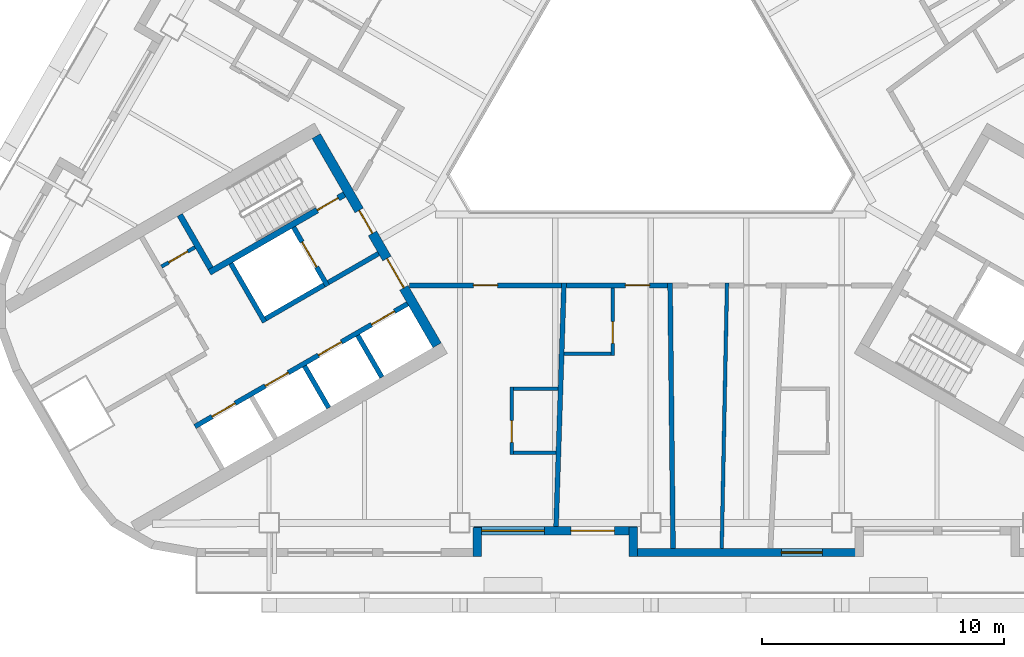
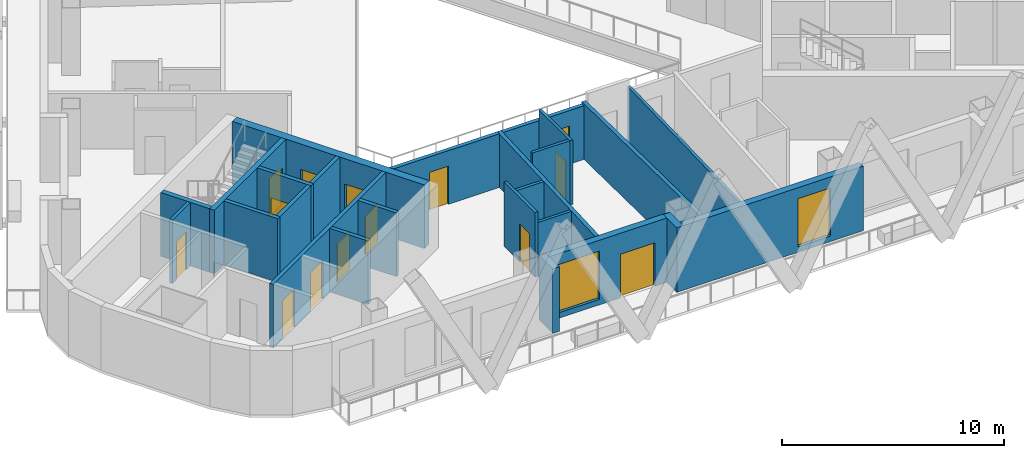
# One storey, part 3 of 14: 25 walls, 14 doors, 2 windows, 16 openings.
"""IFC4 building model written with IfcOpenShell, lengths in metres."""

import ifcopenshell
import ifcopenshell.guid

model = None  # the IFC model being written
_history = None  # IfcOwnerHistory: only IFC2X3 demands one
_inside = {}  # id of a spatial element -> (the spatial element, [elements in it])
_under = {}  # id of a project, library or spatial element -> (it, [spatial elements below it])
_declared = {}  # id of a project -> (the project, [libraries it declares])
_typed = {}  # id of a type object -> (the type object, [elements of that type])
_made_of = {}  # id of a material, layer set ... -> (it, [elements and type objects made of it])


def new_model(schema):
    """Start an empty IFC model of exactly this schema.

    Asked for "IFC4X3", IfcOpenShell would pick the latest addendum, in which some entities
    have other attributes; the version numbers below select the first issue.
    IFC2X3 requires an IfcOwnerHistory on every rooted entity: one is made here for all.
    """
    global model, _history
    if schema == "IFC4X3":
        model = ifcopenshell.file(schema_version=(4, 3, 0, 0))
    else:
        model = ifcopenshell.file(schema=schema)
    _inside.clear()
    _under.clear()
    _declared.clear()
    _typed.clear()
    _made_of.clear()
    _history = None
    if model.schema == "IFC2X3":
        org = make("IfcOrganization", Name="unknown")
        user = make(
            "IfcPersonAndOrganization",
            ThePerson=make("IfcPerson", FamilyName="unknown"),
            TheOrganization=org,
        )
        app = make(
            "IfcApplication",
            ApplicationDeveloper=org,
            Version="unknown",
            ApplicationFullName="unknown",
            ApplicationIdentifier="unknown",
        )
        _history = make(
            "IfcOwnerHistory",
            OwningUser=user,
            OwningApplication=app,
            ChangeAction="ADDED",
            CreationDate=0,
        )
    return model


def make(cls, **values):
    """One entity of the class cls with the attributes given. An attribute that is None is left unset."""
    return model.create_entity(
        cls, **{name: value for name, value in values.items() if value is not None}
    )


def rooted(cls, **values):
    """An entity with a GlobalId (a new one), such as an element, a storey or a relation."""
    return make(cls, GlobalId=ifcopenshell.guid.new(), OwnerHistory=_history, **values)


def si_unit(unit_type, name, prefix=None):
    """IfcSIUnit, for example si_unit("LENGTHUNIT", "METRE", prefix="MILLI")."""
    return make("IfcSIUnit", UnitType=unit_type, Prefix=prefix, Name=name)


def assignment(units):
    """IfcUnitAssignment: the units of a project."""
    return None if units is None else make("IfcUnitAssignment", Units=units)


def point(xyz):
    """IfcCartesianPoint."""
    return None if xyz is None else make("IfcCartesianPoint", Coordinates=xyz)


def direction(xyz):
    """IfcDirection."""
    return None if xyz is None else make("IfcDirection", DirectionRatios=xyz)


def frame(location, z_axis=None, x_axis=None):
    """IfcAxis2Placement3D, a coordinate frame: its origin and axes. An axis left out is left unset."""
    return make(
        "IfcAxis2Placement3D",
        Location=point(location),
        Axis=direction(z_axis),
        RefDirection=direction(x_axis),
    )


def frame_2d(location, x_axis=None):
    """IfcAxis2Placement2D, a coordinate frame in the plane: its origin and x axis."""
    return make(
        "IfcAxis2Placement2D", Location=point(location), RefDirection=direction(x_axis)
    )


def origin():
    """The frame at (0, 0, 0) with its axes left unset."""
    return frame((0.0, 0.0, 0.0))


def place(relative_to, where):
    """IfcLocalPlacement: puts the frame where relative to a parent placement (None: the world)."""
    return make(
        "IfcLocalPlacement", PlacementRelTo=relative_to, RelativePlacement=where
    )


def context(
    kind, dimensions, precision=None, world=None, true_north=None, identifier=None
):
    """IfcGeometricRepresentationContext, for example the 3D "Model" context."""
    return make(
        "IfcGeometricRepresentationContext",
        ContextIdentifier=identifier,
        ContextType=kind,
        CoordinateSpaceDimension=dimensions,
        Precision=precision,
        WorldCoordinateSystem=world,
        TrueNorth=true_north,
    )


def subcontext(parent, identifier, kind, view, scale=None):
    """IfcGeometricRepresentationSubContext, for example "Body" below "Model"."""
    return make(
        "IfcGeometricRepresentationSubContext",
        ContextIdentifier=identifier,
        ContextType=kind,
        ParentContext=parent,
        TargetScale=scale,
        TargetView=view,
    )


def project(units=None, contexts=None):
    """IfcProject with its units and contexts."""
    return rooted(
        "IfcProject",
        Name="project",
        RepresentationContexts=contexts,
        UnitsInContext=assignment(units),
    )


def spatial(cls, under=None, at=None, **own):
    """A site, building, storey or space (cls), placed at a placement, below another one or the project."""
    s = rooted(cls, ObjectPlacement=at, **own)
    if under is not None:
        _under.setdefault(under.id(), (under, []))[1].append(s)
    return s


def profile(cls, at=None, kind="AREA", **sizes):
    """A parametric profile (cls). Its sizes go by their IFC names, for example OverallWidth=200.0."""
    return make(cls, ProfileType=kind, Position=at, **sizes)


def rectangle(**sizes):
    """IfcRectangleProfileDef."""
    return profile("IfcRectangleProfileDef", **sizes)


def extrude(swept, where, along, depth):
    """IfcExtrudedAreaSolid: the profile swept, set in the frame where, extruded along a direction by depth."""
    return make(
        "IfcExtrudedAreaSolid",
        SweptArea=swept,
        Position=where,
        ExtrudedDirection=direction(along),
        Depth=depth,
    )


def shape(context_of_items, identifier, shape_type, items):
    """IfcShapeRepresentation: the items that make up one representation, for example the "Body"."""
    return make(
        "IfcShapeRepresentation",
        ContextOfItems=context_of_items,
        RepresentationIdentifier=identifier,
        RepresentationType=shape_type,
        Items=items,
    )


def material(Name=None, Category=None):
    """IfcMaterial."""
    return make("IfcMaterial", Name=Name, Category=Category)


def layer(
    of_material, thickness, ventilated=None, Name=None, Category=None, Priority=None
):
    """IfcMaterialLayer: one layer of a wall or slab, of a material (None: an air gap)."""
    return make(
        "IfcMaterialLayer",
        Material=of_material,
        LayerThickness=thickness,
        IsVentilated=ventilated,
        Name=Name,
        Category=Category,
        Priority=Priority,
    )


def layer_set(layers, Name=None):
    """IfcMaterialLayerSet."""
    return make("IfcMaterialLayerSet", MaterialLayers=layers, LayerSetName=Name)


def made_of(thing, what):
    """Note that an element or type object is made of a material, layer set ...; save() writes the relation."""
    if what is not None:
        _made_of.setdefault(what.id(), (what, []))[1].append(thing)
    return thing


def type_object(cls, material=None, **own):
    """A type object (cls), such as IfcWallType, which elements share."""
    return made_of(rooted(cls, **own), material)


def element(
    cls,
    number,
    at=None,
    inside=None,
    cuts=None,
    type_object=None,
    material=None,
    context=None,
    identifier="Body",
    shape_type=None,
    held_by="IfcProductDefinitionShape",
    body=None,
    shapes=None,
    **own,
):
    """One element of the class cls, such as IfcWall. Its Tag is "e" and its number.

    at: its placement. inside: the storey or other place that contains it. cuts: it is an
    opening in that element (IfcRelVoidsElement). A single representation is given by context,
    identifier, shape_type and body (its items); several are given by shapes. held_by: the class
    of the entity that holds the representations. save() writes the other relations.
    """
    e = rooted(cls, Tag="e%d" % number, ObjectPlacement=at, **own)
    if body is not None:
        shapes = [shape(context, identifier, shape_type, body)]
    if shapes is not None:
        e.Representation = make(held_by, Representations=shapes)
    if inside is not None:
        _inside.setdefault(inside.id(), (inside, []))[1].append(e)
    if cuts is not None:
        rooted(
            "IfcRelVoidsElement", RelatingBuildingElement=cuts, RelatedOpeningElement=e
        )
    if type_object is not None:
        _typed.setdefault(type_object.id(), (type_object, []))[1].append(e)
    return made_of(e, material)


def fill(opening, filler):
    """IfcRelFillsElement: the door or window that sits in an opening."""
    return rooted(
        "IfcRelFillsElement",
        RelatingOpeningElement=opening,
        RelatedBuildingElement=filler,
    )


def aggregate(whole, parts):
    """IfcRelAggregates: a whole, such as a stair, and the parts it consists of."""
    return rooted("IfcRelAggregates", RelatingObject=whole, RelatedObjects=parts)


def save(model, path):
    """Write the relations noted so far, then the file.

    IfcRelAggregates (storeys below a building ...), IfcRelContainedInSpatialStructure (elements
    in a storey), IfcRelDefinesByType, IfcRelAssociatesMaterial and IfcRelDeclares: one each for
    every whole, place, type object, material and project.
    """
    for whole, parts in _under.values():
        aggregate(whole, parts)
    for where, things in _inside.values():
        rooted(
            "IfcRelContainedInSpatialStructure",
            RelatedElements=things,
            RelatingStructure=where,
        )
    for kind, things in _typed.values():
        rooted("IfcRelDefinesByType", RelatedObjects=things, RelatingType=kind)
    for what, things in _made_of.values():
        rooted("IfcRelAssociatesMaterial", RelatedObjects=things, RelatingMaterial=what)
    for by, libraries in _declared.values():
        rooted("IfcRelDeclares", RelatingContext=by, RelatedDefinitions=libraries)
    model.write(path)


model = new_model("IFC4")

# Units and contexts
model_context = context("Model", 3, precision=1e-05, world=origin(), true_north=direction((0.0, 1.0)))
body_context = subcontext(model_context, "Body", "Model", "MODEL_VIEW")
ifc_project = project(units=[si_unit("LENGTHUNIT", "METRE"), si_unit("AREAUNIT", "SQUARE_METRE"), si_unit("VOLUMEUNIT", "CUBIC_METRE"), si_unit("PLANEANGLEUNIT", "RADIAN"), si_unit("MASSUNIT", "GRAM", prefix="KILO")], contexts=[model_context])

# Site, building, storey
site_placement = place(None, origin())
site = spatial("IfcSite", under=ifc_project, at=site_placement, CompositionType="ELEMENT")
building_placement = place(site_placement, origin())
building = spatial("IfcBuilding", under=site, at=building_placement, Name="Apuvela Tower Hotel", CompositionType="ELEMENT")
storey_placement = place(building_placement, frame((0.0, 0.0, 168.800048828125)))
storey = spatial("IfcBuildingStorey", under=building, at=storey_placement, Name="L40", CompositionType="ELEMENT", Elevation=168.800048828125)

# Wall, openings, doors
ifc_material_1 = material(Name="Concrete C50/60", Category="concrete")
ifc_layer_1 = layer(ifc_material_1, 0.39990234375)
ifc_layer_set_1 = layer_set([ifc_layer_1], Name="COR-WALL-CORE-400")
wall_type_1 = type_object("IfcWallType", Name="COR-WALL-CORE-400", PredefinedType="SHEAR", material=ifc_layer_set_1)
wall_1_placement = place(storey_placement, frame((-13.844970703125, -2.219970703125, 0.0), z_axis=(0.0, 0.0, 1.0), x_axis=(0.500004234368, -0.866022959057, 0.0)))
wall_1 = element("IfcWall", 1, at=wall_1_placement, inside=storey, type_object=wall_type_1, Name="Core wall SW", PredefinedType="SHEAR", context=body_context, shape_type="SweptSolid", body=[
    extrude(rectangle(XDim=10.0, YDim=0.39990234375, at=frame_2d((5.0, 0.0))), origin(), (0.0, 0.0, 1.0), 3.5),
])
opening_1_placement = place(wall_1_placement, frame((3.550048828125, 0.0, 0.0)))
opening_1 = element("IfcOpeningElement", 2, at=opening_1_placement, cuts=wall_1, Name="Opening W-FD", PredefinedType="OPENING", context=body_context, shape_type="SweptSolid", body=[
    extrude(rectangle(XDim=1.10009765625, YDim=2.10009765625, at=frame_2d((0.550048828125, 1.050048828125))), frame((0.0, 0.2099609375, 0.0), z_axis=(0.0, -1.0, 0.0), x_axis=(1.0, 0.0, 0.0)), (0.0, 0.0, 1.0), 0.419921875),
])
opening_2_placement = place(wall_1_placement, frame((5.85009765625, 0.0, 0.0)))
opening_2 = element("IfcOpeningElement", 3, at=opening_2_placement, cuts=wall_1, Name="Opening W-GD", PredefinedType="OPENING", context=body_context, shape_type="SweptSolid", body=[
    extrude(rectangle(XDim=1.39990234375, YDim=2.10009765625, at=frame_2d((0.699951171875, 1.050048828125))), frame((0.0, 0.2099609375, 0.0), z_axis=(0.0, -1.0, 0.0), x_axis=(1.0, 0.0, 0.0)), (0.0, 0.0, 1.0), 0.419921875),
])
ifc_material_2 = material(Name="Steel fire door, powder coated", Category="steel")
door_type_1 = type_object("IfcDoorType", Name="COR-FD-1100", OperationType="NOTDEFINED", PredefinedType="DOOR", material=ifc_material_2)
door_1_placement = place(opening_1_placement, frame((1.10009765625, 0.0, 0.0), z_axis=(0.0, 0.0, 1.0), x_axis=(-1.0, 0.0, 0.0)))
door_1 = element("IfcDoor", 4, at=door_1_placement, inside=storey, type_object=door_type_1, Name="Firefighting lobby door W-FD", OperationType="SINGLE_SWING_LEFT", OverallHeight=2.10009765625, OverallWidth=1.10009765625, PredefinedType="DOOR", context=body_context, shape_type="SweptSolid", body=[
    extrude(rectangle(XDim=1.10009765625, YDim=2.10009765625, at=frame_2d((0.550048828125, 1.050048828125))), frame((0.0, 0.02490234375, 0.0), z_axis=(0.0, -1.0, 0.0), x_axis=(1.0, 0.0, 0.0)), (0.0, 0.0, 1.0), 0.050048828125),
])
fill(opening_1, door_1)
ifc_material_3 = material(Name="Glazed steel fire door", Category="steel")
door_type_2 = type_object("IfcDoorType", Name="COR-GD-1400", OperationType="DOUBLE_DOOR_SINGLE_SWING", PredefinedType="DOOR", material=ifc_material_3)
door_2_placement = place(opening_2_placement, frame((1.39990234375, 0.0, 0.0), z_axis=(0.0, 0.0, 1.0), x_axis=(-1.0, 0.0, 0.0)))
door_2 = element("IfcDoor", 5, at=door_2_placement, inside=storey, type_object=door_type_2, Name="Lift lobby door W-GD", OperationType="DOUBLE_DOOR_SINGLE_SWING", OverallHeight=2.10009765625, OverallWidth=1.39990234375, PredefinedType="DOOR", context=body_context, shape_type="SweptSolid", body=[
    extrude(rectangle(XDim=1.39990234375, YDim=2.10009765625, at=frame_2d((0.699951171875, 1.050048828125))), frame((0.0, 0.02490234375, 0.0), z_axis=(0.0, -1.0, 0.0), x_axis=(1.0, 0.0, 0.0)), (0.0, 0.0, 1.0), 0.050048828125),
])
fill(opening_2, door_2)

# Wall, opening, door
ifc_material_4 = material(Name="Blockwork 150 mm plastered", Category="masonry")
ifc_layer_2 = layer(ifc_material_4, 0.14990234375)
ifc_layer_set_2 = layer_set([ifc_layer_2], Name="COR-WALL-PART-150")
wall_type_2 = type_object("IfcWallType", Name="COR-WALL-PART-150", PredefinedType="PARTITIONING", material=ifc_layer_set_2)
wall_2_placement = place(storey_placement, frame((-18.866455078125, -6.822265625, 0.0), z_axis=(0.0, 0.0, 1.0), x_axis=(-0.866028054938, -0.499995408039, 0.0)))
wall_2 = element("IfcWall", 6, at=wall_2_placement, inside=storey, type_object=wall_type_2, Name="Partition SW", PredefinedType="PARTITIONING", context=body_context, shape_type="SweptSolid", body=[
    extrude(rectangle(XDim=1.60009765625, YDim=0.14990234375, at=frame_2d((0.800048828125, 0.0))), origin(), (0.0, 0.0, 1.0), 3.5),
])
opening_3_placement = place(wall_2_placement, frame((0.35009765625, 0.0, 0.0)))
opening_3 = element("IfcOpeningElement", 7, at=opening_3_placement, cuts=wall_2, Name="Opening W-RD", PredefinedType="OPENING", context=body_context, shape_type="SweptSolid", body=[
    extrude(rectangle(XDim=0.89990234375, YDim=2.10009765625, at=frame_2d((0.449951171875, 1.050048828125))), frame((0.0, 0.0849609375, 0.0), z_axis=(0.0, -1.0, 0.0), x_axis=(1.0, 0.0, 0.0)), (0.0, 0.0, 1.0), 0.169921875),
])
ifc_material_5 = material(Name="Steel access door, powder coated", Category="steel")
door_type_3 = type_object("IfcDoorType", Name="COR-RD-900", OperationType="NOTDEFINED", PredefinedType="DOOR", material=ifc_material_5)
door_3_placement = place(opening_3_placement, frame((0.89990234375, 0.0, 0.0), z_axis=(0.0, 0.0, 1.0), x_axis=(-1.0, 0.0, 0.0)))
door_3 = element("IfcDoor", 8, at=door_3_placement, inside=storey, type_object=door_type_3, Name="Riser door W-RD", OperationType="SINGLE_SWING_RIGHT", OverallHeight=2.10009765625, OverallWidth=0.89990234375, PredefinedType="DOOR", context=body_context, shape_type="SweptSolid", body=[
    extrude(rectangle(XDim=0.89990234375, YDim=2.10009765625, at=frame_2d((0.449951171875, 1.050048828125))), frame((0.0, 0.02490234375, 0.0), z_axis=(0.0, -1.0, 0.0), x_axis=(1.0, 0.0, 0.0)), (0.0, 0.0, 1.0), 0.050048828125),
])
fill(opening_3, door_3)

# Wall
ifc_layer_3 = layer(ifc_material_1, 0.199951171875)
ifc_layer_set_3 = layer_set([ifc_layer_3], Name="COR-WALL-SHAFT-200")
wall_type_3 = type_object("IfcWallType", Name="COR-WALL-SHAFT-200", PredefinedType="SHEAR", material=ifc_layer_set_3)
wall_3_placement = place(storey_placement, frame((-17.38134765625, -7.49462890625, 0.0), z_axis=(0.0, 0.0, 1.0), x_axis=(0.500011755427, -0.866018616679, 0.0)))
element("IfcWall", 9, at=wall_3_placement, inside=storey, type_object=wall_type_3, Name="Shaft wall SW", PredefinedType="SHEAR", context=body_context, shape_type="SweptSolid", body=[
    extrude(rectangle(XDim=2.80029296875, YDim=0.199951171875, at=frame_2d((1.400146484375, 0.0))), origin(), (0.0, 0.0, 1.0), 3.5),
])

# Wall, opening, door
wall_4_placement = place(storey_placement, frame((-14.783203125, -5.99462890625, 0.0), z_axis=(0.0, 0.0, 1.0), x_axis=(0.49994636267, -0.866056369097, 0.0)))
wall_4 = element("IfcWall", 10, at=wall_4_placement, inside=storey, type_object=wall_type_3, Name="Shaft wall SW", PredefinedType="SHEAR", context=body_context, shape_type="SweptSolid", body=[
    extrude(rectangle(XDim=2.800048828125, YDim=0.199951171875, at=frame_2d((1.39990234375, 0.0))), origin(), (0.0, 0.0, 1.0), 3.5),
])
opening_4_placement = place(wall_4_placement, frame((0.699951171875, 0.0, 0.0)))
opening_4 = element("IfcOpeningElement", 11, at=opening_4_placement, cuts=wall_4, Name="Opening W-LD-FS2", PredefinedType="OPENING", context=body_context, shape_type="SweptSolid", body=[
    extrude(rectangle(XDim=1.199951171875, YDim=2.10009765625, at=frame_2d((0.60009765625, 1.050048828125))), frame((0.0, 0.10986328125, 0.0), z_axis=(0.0, -1.0, 0.0), x_axis=(1.0, 0.0, 0.0)), (0.0, 0.0, 1.0), 0.219970703125),
])
ifc_material_6 = material(Name="Stainless steel lift landing door", Category="steel")
door_type_4 = type_object("IfcDoorType", Name="COR-LD-1200", OperationType="DOUBLE_DOOR_SLIDING", PredefinedType="DOOR", material=ifc_material_6)
door_4_placement = place(opening_4_placement, origin())
door_4 = element("IfcDoor", 12, at=door_4_placement, inside=storey, type_object=door_type_4, Name="Lift landing door W-LD-FS2", OperationType="DOUBLE_DOOR_SLIDING", OverallHeight=2.10009765625, OverallWidth=1.199951171875, PredefinedType="DOOR", context=body_context, shape_type="SweptSolid", body=[
    extrude(rectangle(XDim=1.199951171875, YDim=2.10009765625, at=frame_2d((0.60009765625, 1.050048828125))), frame((0.0, 0.02490234375, 0.0), z_axis=(0.0, -1.0, 0.0), x_axis=(1.0, 0.0, 0.0)), (0.0, 0.0, 1.0), 0.050048828125),
])
fill(opening_4, door_4)

# Walls
wall_5_placement = place(storey_placement, frame((-13.519775390625, -8.383056640625, 0.0), z_axis=(0.0, 0.0, 1.0), x_axis=(-0.866034573852, -0.49998411664, 0.0)))
element("IfcWall", 13, at=wall_5_placement, inside=storey, type_object=wall_type_3, Name="Shaft wall SW", PredefinedType="SHEAR", context=body_context, shape_type="SweptSolid", body=[
    extrude(rectangle(XDim=2.7998046875, YDim=0.199951171875, at=frame_2d((1.39990234375, 0.0))), origin(), (0.0, 0.0, 1.0), 3.5),
])
wall_6_placement = place(storey_placement, frame((-11.26806640625, -7.0830078125, 0.0), z_axis=(0.0, 0.0, 1.0), x_axis=(-0.866050077142, -0.499957262057, 0.0)))
element("IfcWall", 14, at=wall_6_placement, inside=storey, type_object=wall_type_3, Name="Shaft wall SW", PredefinedType="SHEAR", context=body_context, shape_type="SweptSolid", body=[
    extrude(rectangle(XDim=2.400146484375, YDim=0.199951171875, at=frame_2d((1.2001953125, 0.0))), origin(), (0.0, 0.0, 1.0), 3.5),
])

# Wall, openings, doors
wall_7_placement = place(storey_placement, frame((-10.068115234375, -9.16162109375, 0.0), z_axis=(0.0, 0.0, 1.0), x_axis=(-0.866032725843, -0.499987317609, 0.0)))
wall_7 = element("IfcWall", 15, at=wall_7_placement, inside=storey, type_object=wall_type_3, Name="Shaft wall SW", PredefinedType="SHEAR", context=body_context, shape_type="SweptSolid", body=[
    extrude(rectangle(XDim=10.159912109375, YDim=0.199951171875, at=frame_2d((5.080078125, 0.0))), origin(), (0.0, 0.0, 1.0), 3.5),
])
opening_5_placement = place(wall_7_placement, frame((0.6201171875, 0.0, 0.0)))
opening_5 = element("IfcOpeningElement", 16, at=opening_5_placement, cuts=wall_7, Name="Opening W-LD-MR1", PredefinedType="OPENING", context=body_context, shape_type="SweptSolid", body=[
    extrude(rectangle(XDim=1.10009765625, YDim=2.10009765625, at=frame_2d((0.550048828125, 1.050048828125))), frame((0.0, 0.10986328125, 0.0), z_axis=(0.0, -1.0, 0.0), x_axis=(1.0, 0.0, 0.0)), (0.0, 0.0, 1.0), 0.219970703125),
])
opening_6_placement = place(wall_7_placement, frame((3.159912109375, 0.0, 0.0)))
opening_6 = element("IfcOpeningElement", 17, at=opening_6_placement, cuts=wall_7, Name="Opening W-LD-MR2", PredefinedType="OPENING", context=body_context, shape_type="SweptSolid", body=[
    extrude(rectangle(XDim=1.10009765625, YDim=2.10009765625, at=frame_2d((0.550048828125, 1.050048828125))), frame((0.0, 0.10986328125, 0.0), z_axis=(0.0, -1.0, 0.0), x_axis=(1.0, 0.0, 0.0)), (0.0, 0.0, 1.0), 0.219970703125),
])
opening_7_placement = place(wall_7_placement, frame((5.699951171875, 0.0, 0.0)))
opening_7 = element("IfcOpeningElement", 18, at=opening_7_placement, cuts=wall_7, Name="Opening W-LD-MR3", PredefinedType="OPENING", context=body_context, shape_type="SweptSolid", body=[
    extrude(rectangle(XDim=1.10009765625, YDim=2.10009765625, at=frame_2d((0.550048828125, 1.050048828125))), frame((0.0, 0.10986328125, 0.0), z_axis=(0.0, -1.0, 0.0), x_axis=(1.0, 0.0, 0.0)), (0.0, 0.0, 1.0), 0.219970703125),
])
opening_8_placement = place(wall_7_placement, frame((8.239990234375, 0.0, 0.0)))
opening_8 = element("IfcOpeningElement", 19, at=opening_8_placement, cuts=wall_7, Name="Opening W-LD-MR4", PredefinedType="OPENING", context=body_context, shape_type="SweptSolid", body=[
    extrude(rectangle(XDim=1.10009765625, YDim=2.10009765625, at=frame_2d((0.550048828125, 1.050048828125))), frame((0.0, 0.10986328125, 0.0), z_axis=(0.0, -1.0, 0.0), x_axis=(1.0, 0.0, 0.0)), (0.0, 0.0, 1.0), 0.219970703125),
])
door_type_5 = type_object("IfcDoorType", Name="COR-LD-1100", OperationType="DOUBLE_DOOR_SLIDING", PredefinedType="DOOR", material=ifc_material_6)
door_5_placement = place(opening_5_placement, origin())
door_5 = element("IfcDoor", 20, at=door_5_placement, inside=storey, type_object=door_type_5, Name="Lift landing door W-LD-MR1", OperationType="DOUBLE_DOOR_SLIDING", OverallHeight=2.10009765625, OverallWidth=1.10009765625, PredefinedType="DOOR", context=body_context, shape_type="SweptSolid", body=[
    extrude(rectangle(XDim=1.10009765625, YDim=2.10009765625, at=frame_2d((0.550048828125, 1.050048828125))), frame((0.0, 0.02490234375, 0.0), z_axis=(0.0, -1.0, 0.0), x_axis=(1.0, 0.0, 0.0)), (0.0, 0.0, 1.0), 0.050048828125),
])
fill(opening_5, door_5)
door_6_placement = place(opening_6_placement, origin())
door_6 = element("IfcDoor", 21, at=door_6_placement, inside=storey, type_object=door_type_5, Name="Lift landing door W-LD-MR2", OperationType="DOUBLE_DOOR_SLIDING", OverallHeight=2.10009765625, OverallWidth=1.10009765625, PredefinedType="DOOR", context=body_context, shape_type="SweptSolid", body=[
    extrude(rectangle(XDim=1.10009765625, YDim=2.10009765625, at=frame_2d((0.550048828125, 1.050048828125))), frame((0.0, 0.02490234375, 0.0), z_axis=(0.0, -1.0, 0.0), x_axis=(1.0, 0.0, 0.0)), (0.0, 0.0, 1.0), 0.050048828125),
])
fill(opening_6, door_6)
door_7_placement = place(opening_7_placement, origin())
door_7 = element("IfcDoor", 22, at=door_7_placement, inside=storey, type_object=door_type_5, Name="Lift landing door W-LD-MR3", OperationType="DOUBLE_DOOR_SLIDING", OverallHeight=2.10009765625, OverallWidth=1.10009765625, PredefinedType="DOOR", context=body_context, shape_type="SweptSolid", body=[
    extrude(rectangle(XDim=1.10009765625, YDim=2.10009765625, at=frame_2d((0.550048828125, 1.050048828125))), frame((0.0, 0.02490234375, 0.0), z_axis=(0.0, -1.0, 0.0), x_axis=(1.0, 0.0, 0.0)), (0.0, 0.0, 1.0), 0.050048828125),
])
fill(opening_7, door_7)
door_8_placement = place(opening_8_placement, origin())
door_8 = element("IfcDoor", 23, at=door_8_placement, inside=storey, type_object=door_type_5, Name="Lift landing door W-LD-MR4", OperationType="DOUBLE_DOOR_SLIDING", OverallHeight=2.10009765625, OverallWidth=1.10009765625, PredefinedType="DOOR", context=body_context, shape_type="SweptSolid", body=[
    extrude(rectangle(XDim=1.10009765625, YDim=2.10009765625, at=frame_2d((0.550048828125, 1.050048828125))), frame((0.0, 0.02490234375, 0.0), z_axis=(0.0, -1.0, 0.0), x_axis=(1.0, 0.0, 0.0)), (0.0, 0.0, 1.0), 0.050048828125),
])
fill(opening_8, door_8)

# Walls
for number, where, z_axis, x_axis, name in (
    (24, (-12.131103515625, -10.468017578125, 0.0), (0.0, 0.0, 1.0), (0.499972520799, -0.866041268327, 0.0), "Shaft wall SW"),
    (25, (-14.330810546875, -11.738037109375, 0.0), (0.0, 0.0, 1.0), (0.499972520799, -0.866041268327, 0.0), "Shaft wall SW"),
):
    element("IfcWall", number, at=place(storey_placement, frame(where, z_axis=z_axis, x_axis=x_axis)), inside=storey, type_object=wall_type_3, Name=name, PredefinedType="SHEAR", context=body_context, shape_type="SweptSolid", body=[
        extrude(rectangle(XDim=2.0, YDim=0.199951171875, at=frame_2d((1.0, 0.0))), origin(), (0.0, 0.0, 1.0), 3.5),
    ])

# Wall, opening, door
ifc_layer_4 = layer(ifc_material_1, 0.25)
ifc_layer_set_4 = layer_set([ifc_layer_4], Name="COR-WALL-STAIR-250")
wall_type_4 = type_object("IfcWallType", Name="COR-WALL-STAIR-250", PredefinedType="SHEAR", material=ifc_layer_set_4)
wall_8_placement = place(storey_placement, frame((-12.6806640625, -4.636474609375, 0.0), z_axis=(0.0, 0.0, 1.0), x_axis=(-0.866021702275, -0.500006411147, 0.0)))
wall_8 = element("IfcWall", 26, at=wall_8_placement, inside=storey, type_object=wall_type_4, Name="Stair wall SW", PredefinedType="SHEAR", context=body_context, shape_type="SweptSolid", body=[
    extrude(rectangle(XDim=6.4501953125, YDim=0.25, at=frame_2d((3.22509765625, 0.0))), origin(), (0.0, 0.0, 1.0), 3.5),
])
opening_9_placement = place(wall_8_placement, frame((0.300048828125, 0.0, 0.0)))
opening_9 = element("IfcOpeningElement", 27, at=opening_9_placement, cuts=wall_8, Name="Opening W-SD", PredefinedType="OPENING", context=body_context, shape_type="SweptSolid", body=[
    extrude(rectangle(XDim=1.0, YDim=2.10009765625, at=frame_2d((0.5, 1.050048828125))), frame((0.0, 0.135009765625, 0.0), z_axis=(0.0, -1.0, 0.0), x_axis=(1.0, 0.0, 0.0)), (0.0, 0.0, 1.0), 0.27001953125),
])
door_type_6 = type_object("IfcDoorType", Name="COR-SD-1000", OperationType="NOTDEFINED", PredefinedType="DOOR", material=ifc_material_2)
door_9_placement = place(opening_9_placement, frame((1.0, 0.0, 0.0), z_axis=(0.0, 0.0, 1.0), x_axis=(-1.0, 0.0, 0.0)))
door_9 = element("IfcDoor", 28, at=door_9_placement, inside=storey, type_object=door_type_6, Name="Stair door W-SD", OperationType="SINGLE_SWING_LEFT", OverallHeight=2.10009765625, OverallWidth=1.0, PredefinedType="DOOR", context=body_context, shape_type="SweptSolid", body=[
    extrude(rectangle(XDim=1.0, YDim=2.10009765625, at=frame_2d((0.5, 1.050048828125))), frame((0.0, 0.02490234375, 0.0), z_axis=(0.0, -1.0, 0.0), x_axis=(1.0, 0.0, 0.0)), (0.0, 0.0, 1.0), 0.050048828125),
])
fill(opening_9, door_9)

# Walls
wall_9_placement = place(storey_placement, frame((-19.49560546875, -5.482421875, 0.0), z_axis=(0.0, 0.0, 1.0), x_axis=(0.499990435942, -0.866030925526, 0.0)))
element("IfcWall", 29, at=wall_9_placement, inside=storey, type_object=wall_type_4, Name="Stair wall SW", PredefinedType="SHEAR", context=body_context, shape_type="SweptSolid", body=[
    extrude(rectangle(XDim=2.5498046875, YDim=0.25, at=frame_2d((1.27490234375, 0.0))), origin(), (0.0, 0.0, 1.0), 3.5),
])
ifc_material_7 = material(Name="Concrete C40/50, dark pigmented precast panel", Category="concrete")
ifc_layer_5 = layer(ifc_material_7, 0.35009765625)
ifc_layer_set_5 = layer_set([ifc_layer_5], Name="ENV-WALL-350")
wall_type_5 = type_object("IfcWallType", Name="ENV-WALL-350", PredefinedType="SOLIDWALL", material=ifc_layer_set_5)
wall_10_placement = place(storey_placement, frame((-7.175048828125, -19.6298828125, 0.0), z_axis=(0.0, 0.0, 1.0), x_axis=(0.0, 1.0, 0.0)))
element("IfcWall", 30, at=wall_10_placement, inside=storey, type_object=wall_type_5, Name="External wall L40-18", PredefinedType="SOLIDWALL", context=body_context, shape_type="SweptSolid", body=[
    extrude(rectangle(XDim=1.219970703125, YDim=0.35009765625, at=frame_2d((0.60986328125, 0.0))), origin(), (0.0, 0.0, 1.0), 3.550048828125),
])

# Wall, openings, door, window
wall_11_placement = place(storey_placement, frame((-7.320068359375, -18.554931640625, 0.0), z_axis=(0.0, 0.0, 1.0), x_axis=(1.0, 0.0, 0.0)))
wall_11 = element("IfcWall", 31, at=wall_11_placement, inside=storey, type_object=wall_type_5, Name="External wall L40-19", PredefinedType="SOLIDWALL", context=body_context, shape_type="SweptSolid", body=[
    extrude(rectangle(XDim=6.739990234375, YDim=0.35009765625, at=frame_2d((3.3701171875, 0.0))), origin(), (0.0, 0.0, 1.0), 3.550048828125),
])
opening_10_placement = place(wall_11_placement, frame((0.3203125, 0.0, 0.300048828125)))
opening_10 = element("IfcOpeningElement", 32, at=opening_10_placement, cuts=wall_11, Name="Opening WN26", PredefinedType="OPENING", context=body_context, shape_type="SweptSolid", body=[
    extrude(rectangle(XDim=2.60009765625, YDim=2.64990234375, at=frame_2d((1.300048828125, 1.324951171875))), frame((0.0, 0.18505859375, 0.0), z_axis=(0.0, -1.0, 0.0), x_axis=(1.0, 0.0, 0.0)), (0.0, 0.0, 1.0), 0.3701171875),
])
opening_11_placement = place(wall_11_placement, frame((4.009765625, 0.0, 0.0)))
opening_11 = element("IfcOpeningElement", 33, at=opening_11_placement, cuts=wall_11, Name="Opening BD18", PredefinedType="OPENING", context=body_context, shape_type="SweptSolid", body=[
    extrude(rectangle(XDim=1.800048828125, YDim=2.39990234375, at=frame_2d((0.89990234375, 1.199951171875))), frame((0.0, 0.18505859375, 0.0), z_axis=(0.0, -1.0, 0.0), x_axis=(1.0, 0.0, 0.0)), (0.0, 0.0, 1.0), 0.3701171875),
])
ifc_material_8 = material(Name="Aluminium 6063-T6, dark bronze anodised frame with dark tinted laminated glass", Category="aluminium")
door_type_7 = type_object("IfcDoorType", Name="ENV-DOOR-BALCONY-1800x2400", OperationType="SLIDING_TO_LEFT", PredefinedType="DOOR", material=ifc_material_8)
door_10_placement = place(opening_11_placement, frame((1.800048828125, 0.0, 0.0), z_axis=(0.0, 0.0, 1.0), x_axis=(-1.0, 0.0, 0.0)))
door_10 = element("IfcDoor", 34, at=door_10_placement, inside=storey, type_object=door_type_7, Name="Balcony door BD18", OperationType="SLIDING_TO_LEFT", OverallHeight=2.39990234375, OverallWidth=1.800048828125, PredefinedType="DOOR", context=body_context, shape_type="SweptSolid", body=[
    extrude(rectangle(XDim=1.800048828125, YDim=2.39990234375, at=frame_2d((0.89990234375, 1.199951171875))), frame((0.0, 0.02490234375, 0.0), z_axis=(0.0, -1.0, 0.0), x_axis=(1.0, 0.0, 0.0)), (0.0, 0.0, 1.0), 0.050048828125),
])
fill(opening_11, door_10)
ifc_material_9 = material(Name="Glass, dark tinted laminated insulated glazing unit", Category="glass")
window_type_1 = type_object("IfcWindowType", Name="ENV-WIN-2600x2650", PartitioningType="SINGLE_PANEL", PredefinedType="WINDOW", material=ifc_material_9)
window_1_placement = place(opening_10_placement, origin())
window_1 = element("IfcWindow", 35, at=window_1_placement, inside=storey, type_object=window_type_1, Name="Window WN26", OverallHeight=2.64990234375, OverallWidth=2.60009765625, PartitioningType="SINGLE_PANEL", PredefinedType="WINDOW", context=body_context, shape_type="SweptSolid", body=[
    extrude(rectangle(XDim=2.60009765625, YDim=2.64990234375, at=frame_2d((1.300048828125, 1.324951171875))), frame((0.0, 0.030029296875, 0.0), z_axis=(0.0, -1.0, 0.0), x_axis=(1.0, 0.0, 0.0)), (0.0, 0.0, 1.0), 0.06005859375),
])
fill(opening_10, window_1)

# Wall
wall_12_placement = place(storey_placement, frame((-0.72509765625, -18.409912109375, 0.0), z_axis=(0.0, 0.0, 1.0), x_axis=(0.0, -1.0, 0.0)))
element("IfcWall", 36, at=wall_12_placement, inside=storey, type_object=wall_type_5, Name="External wall L40-20", PredefinedType="SOLIDWALL", context=body_context, shape_type="SweptSolid", body=[
    extrude(rectangle(XDim=1.219970703125, YDim=0.35009765625, at=frame_2d((0.60986328125, 0.0))), origin(), (0.0, 0.0, 1.0), 3.550048828125),
])

# Wall, opening, window
wall_13_placement = place(storey_placement, frame((-0.89990234375, -19.455078125, 0.0), z_axis=(0.0, 0.0, 1.0), x_axis=(1.0, 0.0, 0.0)))
wall_13 = element("IfcWall", 37, at=wall_13_placement, inside=storey, type_object=wall_type_5, Name="External wall L40-21", PredefinedType="SOLIDWALL", context=body_context, shape_type="SweptSolid", body=[
    extrude(rectangle(XDim=9.699951171875, YDim=0.35009765625, at=frame_2d((4.85009765625, 0.0))), origin(), (0.0, 0.0, 1.0), 3.550048828125),
])
opening_12_placement = place(wall_13_placement, frame((6.2998046875, 0.0, 0.300048828125)))
opening_12 = element("IfcOpeningElement", 38, at=opening_12_placement, cuts=wall_13, Name="Opening WN17", PredefinedType="OPENING", context=body_context, shape_type="SweptSolid", body=[
    extrude(rectangle(XDim=1.699951171875, YDim=2.64990234375, at=frame_2d((0.85009765625, 1.324951171875))), frame((0.0, 0.18505859375, 0.0), z_axis=(0.0, -1.0, 0.0), x_axis=(1.0, 0.0, 0.0)), (0.0, 0.0, 1.0), 0.3701171875),
])
window_type_2 = type_object("IfcWindowType", Name="ENV-WIN-1700x2650", PartitioningType="SINGLE_PANEL", PredefinedType="WINDOW", material=ifc_material_9)
window_2_placement = place(opening_12_placement, origin())
window_2 = element("IfcWindow", 39, at=window_2_placement, inside=storey, type_object=window_type_2, Name="Window WN17", OverallHeight=2.64990234375, OverallWidth=1.699951171875, PartitioningType="SINGLE_PANEL", PredefinedType="WINDOW", context=body_context, shape_type="SweptSolid", body=[
    extrude(rectangle(XDim=1.699951171875, YDim=2.64990234375, at=frame_2d((0.85009765625, 1.324951171875))), frame((0.0, 0.030029296875, 0.0), z_axis=(0.0, -1.0, 0.0), x_axis=(1.0, 0.0, 0.0)), (0.0, 0.0, 1.0), 0.06005859375),
])
fill(opening_12, window_2)

# Walls
ifc_material_10 = material(Name="Gypsum board partition on twin steel stud", Category="steel")
ifc_layer_6 = layer(ifc_material_10, 0.199951171875)
ifc_layer_set_6 = layer_set([ifc_layer_6], Name="GST-PW1")
wall_type_6 = type_object("IfcWallType", Name="GST-PW1", PredefinedType="PARTITIONING", material=ifc_layer_set_6)
wall_14_placement = place(storey_placement, frame((-3.9208984375, -18.3798828125, 0.0), z_axis=(0.0, 0.0, 1.0), x_axis=(0.032462838588, 0.999472943161, 0.0)))
element("IfcWall", 40, at=wall_14_placement, inside=storey, type_object=wall_type_6, Name="L40 partition 01", PredefinedType="PARTITIONING", context=body_context, shape_type="SweptSolid", body=[
    extrude(rectangle(XDim=10.085205078125, YDim=0.199951171875, at=frame_2d((5.04248046875, 0.0))), origin(), (0.0, 0.0, 1.0), 2.949951171875),
])
wall_15_placement = place(storey_placement, frame((0.919921875, -19.280029296875, 0.0), z_axis=(0.0, 0.0, 1.0), x_axis=(-0.011116847578, 0.999938205941, 0.0)))
element("IfcWall", 41, at=wall_15_placement, inside=storey, type_object=wall_type_6, Name="L40 partition 02", PredefinedType="PARTITIONING", context=body_context, shape_type="SweptSolid", body=[
    extrude(rectangle(XDim=10.980712890625, YDim=0.199951171875, at=frame_2d((5.490234375, 0.0))), origin(), (0.0, 0.0, 1.0), 3.06005859375),
])

# Wall, opening, door
ifc_material_11 = material(Name="Gypsum board corridor wall on twin steel stud, acoustic", Category="steel")
ifc_layer_7 = layer(ifc_material_11, 0.199951171875)
ifc_layer_set_7 = layer_set([ifc_layer_7], Name="GST-PW2")
wall_type_7 = type_object("IfcWallType", Name="GST-PW2", PredefinedType="PARTITIONING", material=ifc_layer_set_7)
wall_16_placement = place(storey_placement, frame((-3.69677734375, -8.39990234375, 0.0), z_axis=(0.0, 0.0, 1.0), x_axis=(-1.0, 0.0, 0.0)))
wall_16 = element("IfcWall", 42, at=wall_16_placement, inside=storey, type_object=wall_type_7, Name="L40 partition 09", PredefinedType="PARTITIONING", context=body_context, shape_type="SweptSolid", body=[
    extrude(rectangle(XDim=6.29150390625, YDim=0.199951171875, at=frame_2d((3.145751953125, 0.0))), origin(), (0.0, 0.0, 1.0), 2.949951171875),
])
opening_13_placement = place(wall_16_placement, frame((2.645751953125, 0.0, 0.0)))
opening_13 = element("IfcOpeningElement", 43, at=opening_13_placement, cuts=wall_16, Name="Opening GD15-02", PredefinedType="OPENING", context=body_context, shape_type="SweptSolid", body=[
    extrude(rectangle(XDim=1.0, YDim=2.10009765625, at=frame_2d((0.5, 1.050048828125))), frame((0.0, 0.10986328125, 0.0), z_axis=(0.0, -1.0, 0.0), x_axis=(1.0, 0.0, 0.0)), (0.0, 0.0, 1.0), 0.219970703125),
])
ifc_material_12 = material(Name="Timber door leaf in steel frame", Category="steel")
door_type_8 = type_object("IfcDoorType", Name="GST-D1", OperationType="NOTDEFINED", PredefinedType="DOOR", material=ifc_material_12)
door_11_placement = place(opening_13_placement, origin())
door_11 = element("IfcDoor", 44, at=door_11_placement, inside=storey, type_object=door_type_8, Name="Door L40-02", OperationType="SINGLE_SWING_LEFT", OverallHeight=2.10009765625, OverallWidth=1.0, PredefinedType="DOOR", context=body_context, shape_type="SweptSolid", body=[
    extrude(rectangle(XDim=1.0, YDim=2.10009765625, at=frame_2d((0.5, 1.050048828125))), frame((0.0, 0.02490234375, 0.0), z_axis=(0.0, -1.0, 0.0), x_axis=(1.0, 0.0, 0.0)), (0.0, 0.0, 1.0), 0.050048828125),
])
fill(opening_13, door_11)

wall_17_placement = place(storey_placement, frame((0.698974609375, -8.39990234375, 0.0), z_axis=(0.0, 0.0, 1.0), x_axis=(-1.0, 0.0, 0.0)))
wall_17 = element("IfcWall", 45, at=wall_17_placement, inside=storey, type_object=wall_type_7, Name="L40 partition 13", PredefinedType="PARTITIONING", context=body_context, shape_type="SweptSolid", body=[
    extrude(rectangle(XDim=4.195556640625, YDim=0.199951171875, at=frame_2d((2.09765625, 0.0))), origin(), (0.0, 0.0, 1.0), 2.949951171875),
])
opening_14_placement = place(wall_17_placement, frame((0.748779296875, 0.0, 0.0)))
opening_14 = element("IfcOpeningElement", 46, at=opening_14_placement, cuts=wall_17, Name="Opening GD15-04", PredefinedType="OPENING", context=body_context, shape_type="SweptSolid", body=[
    extrude(rectangle(XDim=1.0, YDim=2.10009765625, at=frame_2d((0.5, 1.050048828125))), frame((0.0, 0.10986328125, 0.0), z_axis=(0.0, -1.0, 0.0), x_axis=(1.0, 0.0, 0.0)), (0.0, 0.0, 1.0), 0.219970703125),
])
door_12_placement = place(opening_14_placement, origin())
door_12 = element("IfcDoor", 47, at=door_12_placement, inside=storey, type_object=door_type_8, Name="Door L40-04", OperationType="SINGLE_SWING_LEFT", OverallHeight=2.10009765625, OverallWidth=1.0, PredefinedType="DOOR", context=body_context, shape_type="SweptSolid", body=[
    extrude(rectangle(XDim=1.0, YDim=2.10009765625, at=frame_2d((0.5, 1.050048828125))), frame((0.0, 0.02490234375, 0.0), z_axis=(0.0, -1.0, 0.0), x_axis=(1.0, 0.0, 0.0)), (0.0, 0.0, 1.0), 0.050048828125),
])
fill(opening_14, door_12)

ifc_material_13 = material(Name="Moisture-resistant gypsum board wet wall on steel stud", Category="steel")
ifc_layer_8 = layer(ifc_material_13, 0.14990234375)
ifc_layer_set_8 = layer_set([ifc_layer_8], Name="GST-PW3")
wall_type_8 = type_object("IfcWallType", Name="GST-PW3", PredefinedType="PARTITIONING", material=ifc_layer_set_8)
wall_18_placement = place(storey_placement, frame((-5.75830078125, -12.60009765625, 0.0), z_axis=(0.0, 0.0, 1.0), x_axis=(0.0, -1.0, 0.0)))
wall_18 = element("IfcWall", 48, at=wall_18_placement, inside=storey, type_object=wall_type_8, Name="L40 partition 10", PredefinedType="PARTITIONING", context=body_context, shape_type="SweptSolid", body=[
    extrude(rectangle(XDim=2.7998046875, YDim=0.14990234375, at=frame_2d((1.39990234375, 0.0))), origin(), (0.0, 0.0, 1.0), 3.550048828125),
])
opening_15_placement = place(wall_18_placement, frame((1.39990234375, 0.0, 0.0)))
opening_15 = element("IfcOpeningElement", 49, at=opening_15_placement, cuts=wall_18, Name="Opening GD15-01", PredefinedType="OPENING", context=body_context, shape_type="SweptSolid", body=[
    extrude(rectangle(XDim=0.89990234375, YDim=2.10009765625, at=frame_2d((0.449951171875, 1.050048828125))), frame((0.0, 0.0849609375, 0.0), z_axis=(0.0, -1.0, 0.0), x_axis=(1.0, 0.0, 0.0)), (0.0, 0.0, 1.0), 0.169921875),
])
door_type_9 = type_object("IfcDoorType", Name="GST-D2", OperationType="NOTDEFINED", PredefinedType="DOOR", material=ifc_material_12)
door_13_placement = place(opening_15_placement, origin())
door_13 = element("IfcDoor", 50, at=door_13_placement, inside=storey, type_object=door_type_9, Name="Door L40-01", OperationType="SINGLE_SWING_RIGHT", OverallHeight=2.10009765625, OverallWidth=0.89990234375, PredefinedType="DOOR", context=body_context, shape_type="SweptSolid", body=[
    extrude(rectangle(XDim=0.89990234375, YDim=2.10009765625, at=frame_2d((0.449951171875, 1.050048828125))), frame((0.0, 0.02490234375, 0.0), z_axis=(0.0, -1.0, 0.0), x_axis=(1.0, 0.0, 0.0)), (0.0, 0.0, 1.0), 0.050048828125),
])
fill(opening_15, door_13)

# Walls
wall_19_placement = place(storey_placement, frame((-5.68310546875, -15.324951171875, 0.0), z_axis=(0.0, 0.0, 1.0), x_axis=(1.0, 0.0, 0.0)))
element("IfcWall", 51, at=wall_19_placement, inside=storey, type_object=wall_type_8, Name="L40 partition 11", PredefinedType="PARTITIONING", context=body_context, shape_type="SweptSolid", body=[
    extrude(rectangle(XDim=1.761474609375, YDim=0.14990234375, at=frame_2d((0.880859375, 0.0))), origin(), (0.0, 0.0, 1.0), 2.949951171875),
])
wall_20_placement = place(storey_placement, frame((-5.68310546875, -12.675048828125, 0.0), z_axis=(0.0, 0.0, 1.0), x_axis=(1.0, 0.0, 0.0)))
element("IfcWall", 52, at=wall_20_placement, inside=storey, type_object=wall_type_8, Name="L40 partition 12", PredefinedType="PARTITIONING", context=body_context, shape_type="SweptSolid", body=[
    extrude(rectangle(XDim=1.847412109375, YDim=0.14990234375, at=frame_2d((0.923828125, 0.0))), origin(), (0.0, 0.0, 1.0), 2.949951171875),
])

# Wall, opening, door
wall_21_placement = place(storey_placement, frame((-1.574951171875, -11.300048828125, 0.0), z_axis=(0.0, 0.0, 1.0), x_axis=(0.0, 1.0, 0.0)))
wall_21 = element("IfcWall", 53, at=wall_21_placement, inside=storey, type_object=wall_type_8, Name="L40 partition 14", PredefinedType="PARTITIONING", context=body_context, shape_type="SweptSolid", body=[
    extrude(rectangle(XDim=2.800048828125, YDim=0.14990234375, at=frame_2d((1.39990234375, 0.0))), origin(), (0.0, 0.0, 1.0), 3.550048828125),
])
opening_16_placement = place(wall_21_placement, frame((0.5, 0.0, 0.0)))
opening_16 = element("IfcOpeningElement", 54, at=opening_16_placement, cuts=wall_21, Name="Opening GD15-03", PredefinedType="OPENING", context=body_context, shape_type="SweptSolid", body=[
    extrude(rectangle(XDim=0.89990234375, YDim=2.10009765625, at=frame_2d((0.449951171875, 1.050048828125))), frame((0.0, 0.0849609375, 0.0), z_axis=(0.0, -1.0, 0.0), x_axis=(1.0, 0.0, 0.0)), (0.0, 0.0, 1.0), 0.169921875),
])
door_14_placement = place(opening_16_placement, origin())
door_14 = element("IfcDoor", 55, at=door_14_placement, inside=storey, type_object=door_type_9, Name="Door L40-03", OperationType="SINGLE_SWING_LEFT", OverallHeight=2.10009765625, OverallWidth=0.89990234375, PredefinedType="DOOR", context=body_context, shape_type="SweptSolid", body=[
    extrude(rectangle(XDim=0.89990234375, YDim=2.10009765625, at=frame_2d((0.449951171875, 1.050048828125))), frame((0.0, 0.02490234375, 0.0), z_axis=(0.0, -1.0, 0.0), x_axis=(1.0, 0.0, 0.0)), (0.0, 0.0, 1.0), 0.050048828125),
])
fill(opening_16, door_14)

# Walls
wall_22_placement = place(storey_placement, frame((-3.58837890625, -11.22509765625, 0.0), z_axis=(0.0, 0.0, 1.0), x_axis=(1.0, 0.0, 0.0)))
element("IfcWall", 56, at=wall_22_placement, inside=storey, type_object=wall_type_8, Name="L40 partition 15", PredefinedType="PARTITIONING", context=body_context, shape_type="SweptSolid", body=[
    extrude(rectangle(XDim=1.9384765625, YDim=0.14990234375, at=frame_2d((0.96923828125, 0.0))), origin(), (0.0, 0.0, 1.0), 3.550048828125),
])
wall_23_placement = place(storey_placement, frame((2.93505859375, -19.280029296875, 0.0), z_axis=(0.0, 0.0, 1.0), x_axis=(0.019940891206, 0.99980116066, 0.0)))
element("IfcWall", 57, at=wall_23_placement, inside=storey, type_object=wall_type_8, Name="L40 partition 16", PredefinedType="PARTITIONING", context=body_context, shape_type="SweptSolid", body=[
    extrude(rectangle(XDim=10.982177734375, YDim=0.14990234375, at=frame_2d((5.4912109375, 0.0))), origin(), (0.0, 0.0, 1.0), 3.06005859375),
])

save(model, "model.ifc")
